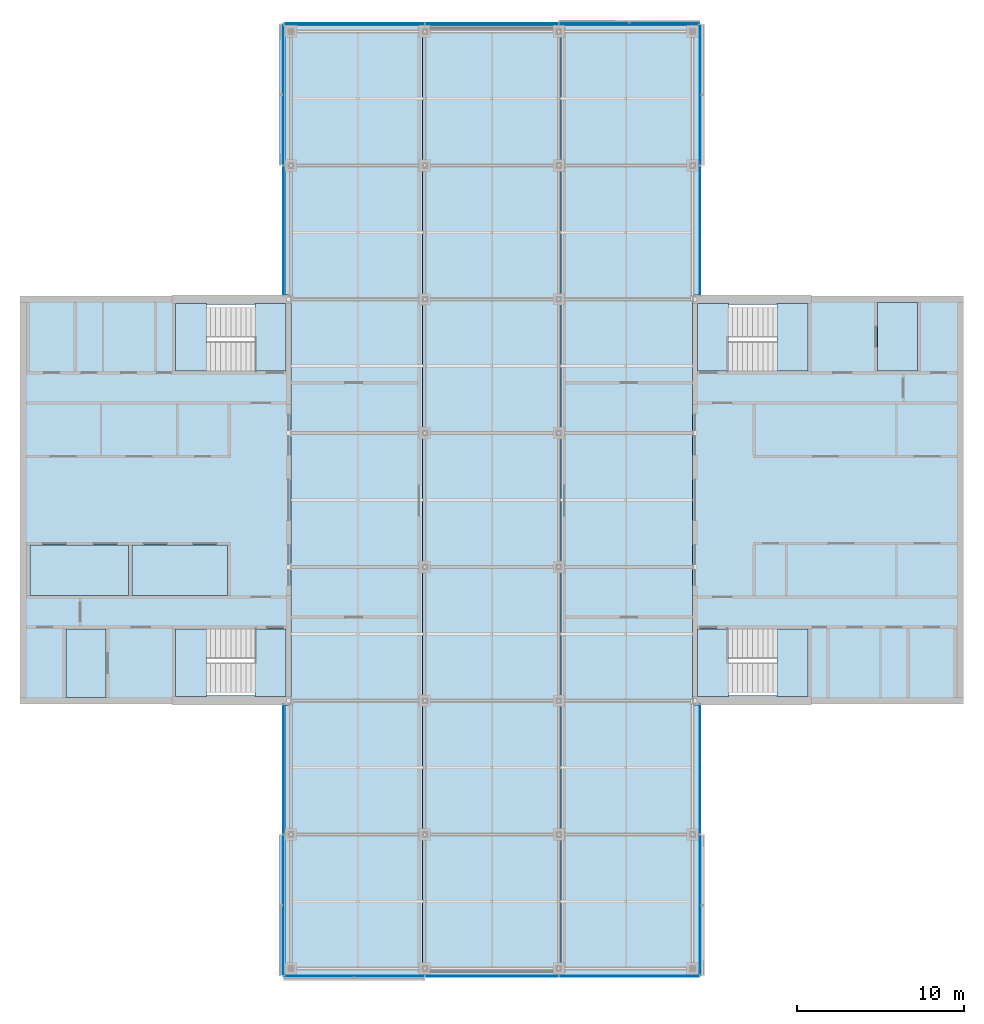
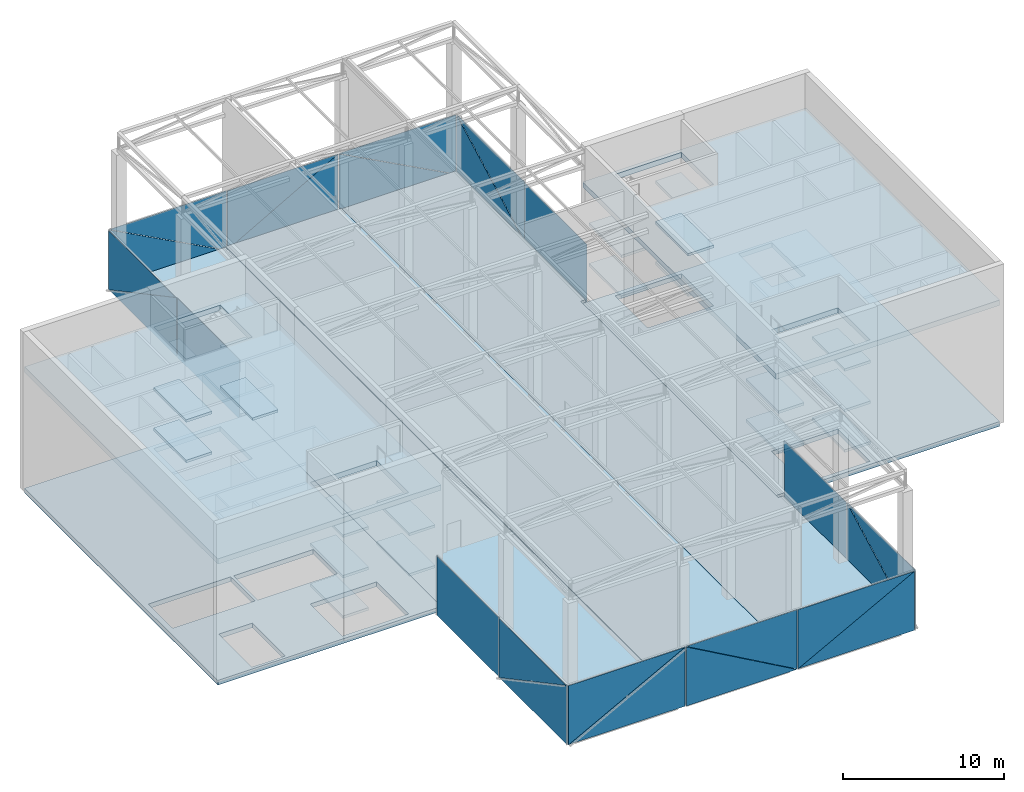
# One storey, part 10 of 23: 26 slabs, 24 plates, 14 elements without a shape of their own.
"""IFC4 building model written with IfcOpenShell, lengths in metres."""

from ifc_helpers import new_model, si_unit, direction, frame, origin, place, context, subcontext, project, spatial, polyline, outline, extrude, material, layer, layer_set, type_object, element, aggregate, save


model = new_model("IFC4")

# Units and contexts
model_context = context("Model", 3, precision=1e-05, world=origin(), true_north=direction((0.0, 1.0)))
body_context = subcontext(model_context, "Body", "Model", "MODEL_VIEW")
ifc_project = project(units=[si_unit("LENGTHUNIT", "METRE"), si_unit("AREAUNIT", "SQUARE_METRE"), si_unit("VOLUMEUNIT", "CUBIC_METRE"), si_unit("PLANEANGLEUNIT", "RADIAN"), si_unit("MASSUNIT", "GRAM", prefix="KILO")], contexts=[model_context])

# Site, building, storey
site_placement = place(None, origin())
site = spatial("IfcSite", under=ifc_project, at=site_placement, CompositionType="ELEMENT")
building_placement = place(site_placement, origin())
building = spatial("IfcBuilding", under=site, at=building_placement, Name="Crosswind Convention Tower", CompositionType="ELEMENT")
storey_placement = place(building_placement, frame((0.0, 0.0, 349.10009765625)))
storey = spatial("IfcBuildingStorey", under=building, at=storey_placement, Name="L76", CompositionType="ELEMENT", Elevation=349.10009765625)

# Slabs
ifc_material_1 = material(Name="Concrete C40/50", Category="concrete")
ifc_layer_1 = layer(ifc_material_1, 0.35009765625)
ifc_layer_set_1 = layer_set([ifc_layer_1], Name="Concrete C40/50")
slab_type_1 = type_object("IfcSlabType", Name="Composite floor slab 350", PredefinedType="FLOOR", material=ifc_layer_set_1)
slab_1_placement = place(storey_placement, frame((0.0, 0.0, -0.35009765625)))
element("IfcSlab", 1, at=slab_1_placement, inside=storey, type_object=slab_type_1, Name="Floor slab L76", PredefinedType="FLOOR", context=body_context, shape_type="SweptSolid", body=[
    extrude(outline(polyline([(137.35009765625, 71.64990234375), (137.0, 71.64990234375), (113.0, 71.64990234375), (112.64990234375, 71.64990234375), (112.64990234375, 72.0), (112.64990234375, 87.75), (113.0, 87.75), (113.0, 112.25), (112.64990234375, 112.25), (112.64990234375, 128.0), (112.64990234375, 128.35009765625), (113.0, 128.35009765625), (137.0, 128.35009765625), (137.35009765625, 128.35009765625), (137.35009765625, 128.0), (137.35009765625, 112.25), (137.0, 112.25), (137.0, 87.75), (137.35009765625, 87.75), (137.35009765625, 72.0), (137.35009765625, 71.64990234375)])), origin(), (0.0, 0.0, 1.0), 0.35009765625),
])
ifc_layer_2 = layer(ifc_material_1, 0.35009765625)
ifc_layer_set_2 = layer_set([ifc_layer_2], Name="Concrete C40/50")
slab_type_2 = type_object("IfcSlabType", Name="Concrete core floor slab 350", PredefinedType="FLOOR", material=ifc_layer_set_2)
slab_2_placement = place(storey_placement, frame((0.0, 0.0, -0.35009765625)))
element("IfcSlab", 2, at=slab_2_placement, inside=storey, type_object=slab_type_2, Name="Core floor slab E L76", PredefinedType="FLOOR", context=body_context, shape_type="SweptSolid", body=[
    extrude(outline(polyline([(137.0, 88.0), (153.0, 88.0), (153.0, 112.0), (137.0, 112.0), (137.0, 88.0)]), holes=[polyline([(150.449951171875, 107.699951171875), (150.449951171875, 111.800048828125), (148.050048828125, 111.800048828125), (148.050048828125, 107.699951171875), (150.449951171875, 107.699951171875)]), polyline([(143.89990234375, 107.699951171875), (143.89990234375, 111.699951171875), (139.14990234375, 111.699951171875), (139.14990234375, 107.699951171875), (143.89990234375, 107.699951171875)]), polyline([(143.89990234375, 88.300048828125), (143.89990234375, 92.300048828125), (139.14990234375, 92.300048828125), (139.14990234375, 88.300048828125), (143.89990234375, 88.300048828125)])]), origin(), (0.0, 0.0, 1.0), 0.35009765625),
])
slab_3_placement = place(storey_placement, frame((0.0, 0.0, -0.35009765625)))
element("IfcSlab", 3, at=slab_3_placement, inside=storey, type_object=slab_type_2, Name="Core floor slab W L76", PredefinedType="FLOOR", context=body_context, shape_type="SweptSolid", body=[
    extrude(outline(polyline([(97.0, 88.0), (113.0, 88.0), (113.0, 112.0), (97.0, 112.0), (97.0, 88.0)]), holes=[polyline([(109.199951171875, 94.300048828125), (109.199951171875, 97.300048828125), (103.5, 97.300048828125), (103.5, 94.300048828125), (109.199951171875, 94.300048828125)]), polyline([(103.300048828125, 94.300048828125), (103.300048828125, 97.300048828125), (97.39990234375, 97.300048828125), (97.39990234375, 94.300048828125), (103.300048828125, 94.300048828125)]), polyline([(101.949951171875, 88.199951171875), (101.949951171875, 92.300048828125), (99.550048828125, 92.300048828125), (99.550048828125, 88.199951171875), (101.949951171875, 88.199951171875)]), polyline([(110.85009765625, 88.300048828125), (110.85009765625, 92.300048828125), (106.10009765625, 92.300048828125), (106.10009765625, 88.300048828125), (110.85009765625, 88.300048828125)]), polyline([(110.85009765625, 107.699951171875), (110.85009765625, 111.699951171875), (106.10009765625, 111.699951171875), (106.10009765625, 107.699951171875), (110.85009765625, 107.699951171875)])]), origin(), (0.0, 0.0, 1.0), 0.35009765625),
])
ifc_layer_3 = layer(ifc_material_1, 0.39990234375)
ifc_layer_set_3 = layer_set([ifc_layer_3], Name="Concrete C40/50")
slab_type_3 = type_object("IfcSlabType", Name="Concrete core roof deck slab 400", PredefinedType="FLOOR", material=ifc_layer_set_3)
slab_4_placement = place(storey_placement, frame((0.0, 0.0, 8.7998046875)))
element("IfcSlab", 4, at=slab_4_placement, inside=storey, type_object=slab_type_3, Name="Core roof deck slab E", PredefinedType="FLOOR", context=body_context, shape_type="SweptSolid", body=[
    extrude(outline(polyline([(137.0, 88.0), (153.0, 88.0), (153.0, 112.0), (137.0, 112.0), (137.0, 88.0)]), holes=[polyline([(143.89990234375, 107.699951171875), (143.89990234375, 111.699951171875), (139.14990234375, 111.699951171875), (139.14990234375, 107.699951171875), (143.89990234375, 107.699951171875)]), polyline([(143.89990234375, 88.300048828125), (143.89990234375, 92.300048828125), (139.14990234375, 92.300048828125), (139.14990234375, 88.300048828125), (143.89990234375, 88.300048828125)])]), origin(), (0.0, 0.0, 1.0), 0.400146484375),
])
slab_5_placement = place(storey_placement, frame((0.0, 0.0, 8.7998046875)))
element("IfcSlab", 5, at=slab_5_placement, inside=storey, type_object=slab_type_3, Name="Core roof deck slab W", PredefinedType="FLOOR", context=body_context, shape_type="SweptSolid", body=[
    extrude(outline(polyline([(97.0, 88.0), (113.0, 88.0), (113.0, 112.0), (97.0, 112.0), (97.0, 88.0)]), holes=[polyline([(110.85009765625, 88.300048828125), (110.85009765625, 92.300048828125), (106.10009765625, 92.300048828125), (106.10009765625, 88.300048828125), (110.85009765625, 88.300048828125)]), polyline([(110.85009765625, 107.699951171875), (110.85009765625, 111.699951171875), (106.10009765625, 111.699951171875), (106.10009765625, 107.699951171875), (110.85009765625, 107.699951171875)])]), origin(), (0.0, 0.0, 1.0), 0.400146484375),
])
ifc_material_2 = material(Name="Porcelain paving on pedestals", Category="ceramic")
ifc_layer_4 = layer(ifc_material_2, 0.050048828125)
ifc_layer_set_4 = layer_set([ifc_layer_4], Name="SKY DECK PAVING 50")
slab_type_4 = type_object("IfcSlabType", Name="SKY DECK PAVING 50", PredefinedType="USERDEFINED", material=ifc_layer_set_4)
slab_6_placement = place(storey_placement, origin())
element("IfcSlab", 6, at=slab_6_placement, inside=storey, type_object=slab_type_4, Name="Observation deck 1", ObjectType="PAVING", PredefinedType="USERDEFINED", context=body_context, shape_type="SweptSolid", body=[
    extrude(outline(polyline([(120.85009765625, 71.64990234375), (120.85009765625, 128.35009765625), (129.14990234375, 128.35009765625), (129.14990234375, 71.64990234375), (120.85009765625, 71.64990234375)])), origin(), (0.0, 0.0, 1.0), 0.0498046875),
])

# Stair, slabs
stair_type = type_object("IfcStairType", Name="Exit stair 1800 wide, 6 flights of 11 risers", PredefinedType="HALF_TURN_STAIR", material=ifc_material_1)
stair_1_placement = place(storey_placement, origin())
stair_1 = element("IfcStair", 7, at=stair_1_placement, inside=storey, type_object=stair_type, Name="Exit stair ST1 L76", ObjectType="ST7", PredefinedType="HALF_TURN_STAIR")
ifc_layer_5 = layer(ifc_material_1, 0.199951171875)
ifc_layer_set_5 = layer_set([ifc_layer_5], Name="Concrete C40/50")
slab_type_5 = type_object("IfcSlabType", Name="Stair landing 200", PredefinedType="LANDING", material=ifc_layer_set_5)
slab_7_placement = place(storey_placement, frame((0.0, 0.0, 1.333251953125)))
slab_7 = element("IfcSlab", 8, at=slab_7_placement, type_object=slab_type_5, Name="ST1 landing 1", PredefinedType="LANDING", context=body_context, shape_type="SweptSolid", body=[
    extrude(outline(polyline([(143.89990234375, 107.699951171875), (143.89990234375, 111.75), (142.050048828125, 111.75), (142.050048828125, 107.699951171875), (143.89990234375, 107.699951171875)])), origin(), (0.0, 0.0, 1.0), 0.199951171875),
])
slab_8_placement = place(storey_placement, frame((0.0, 0.0, 2.866455078125)))
slab_8 = element("IfcSlab", 9, at=slab_8_placement, type_object=slab_type_5, Name="ST1 landing 2", PredefinedType="LANDING", context=body_context, shape_type="SweptSolid", body=[
    extrude(outline(polyline([(139.14990234375, 107.699951171875), (139.14990234375, 111.75), (137.300048828125, 111.75), (137.300048828125, 107.699951171875), (139.14990234375, 107.699951171875)])), origin(), (0.0, 0.0, 1.0), 0.2001953125),
])
slab_9_placement = place(storey_placement, frame((0.0, 0.0, 4.39990234375)))
slab_9 = element("IfcSlab", 10, at=slab_9_placement, type_object=slab_type_5, Name="ST1 landing 3", PredefinedType="LANDING", context=body_context, shape_type="SweptSolid", body=[
    extrude(outline(polyline([(143.89990234375, 107.699951171875), (143.89990234375, 111.75), (142.050048828125, 111.75), (142.050048828125, 107.699951171875), (143.89990234375, 107.699951171875)])), origin(), (0.0, 0.0, 1.0), 0.199951171875),
])
slab_10_placement = place(storey_placement, frame((0.0, 0.0, 5.933349609375)))
slab_10 = element("IfcSlab", 11, at=slab_10_placement, type_object=slab_type_5, Name="ST1 landing 4", PredefinedType="LANDING", context=body_context, shape_type="SweptSolid", body=[
    extrude(outline(polyline([(139.14990234375, 107.699951171875), (139.14990234375, 111.75), (137.300048828125, 111.75), (137.300048828125, 107.699951171875), (139.14990234375, 107.699951171875)])), origin(), (0.0, 0.0, 1.0), 0.199951171875),
])
slab_11_placement = place(storey_placement, frame((0.0, 0.0, 7.466552734375)))
slab_11 = element("IfcSlab", 12, at=slab_11_placement, type_object=slab_type_5, Name="ST1 landing 5", PredefinedType="LANDING", context=body_context, shape_type="SweptSolid", body=[
    extrude(outline(polyline([(143.89990234375, 107.699951171875), (143.89990234375, 111.75), (142.050048828125, 111.75), (142.050048828125, 107.699951171875), (143.89990234375, 107.699951171875)])), origin(), (0.0, 0.0, 1.0), 0.199951171875),
])
aggregate(stair_1, [slab_7, slab_8, slab_9, slab_10, slab_11])

stair_2_placement = place(storey_placement, origin())
stair_2 = element("IfcStair", 13, at=stair_2_placement, inside=storey, type_object=stair_type, Name="Exit stair ST2 L76", ObjectType="ST7", PredefinedType="HALF_TURN_STAIR")
slab_12_placement = place(storey_placement, frame((0.0, 0.0, 1.333251953125)))
slab_12 = element("IfcSlab", 14, at=slab_12_placement, type_object=slab_type_5, Name="ST2 landing 1", PredefinedType="LANDING", context=body_context, shape_type="SweptSolid", body=[
    extrude(outline(polyline([(143.89990234375, 88.25), (143.89990234375, 92.300048828125), (142.050048828125, 92.300048828125), (142.050048828125, 88.25), (143.89990234375, 88.25)])), origin(), (0.0, 0.0, 1.0), 0.199951171875),
])
slab_13_placement = place(storey_placement, frame((0.0, 0.0, 2.866455078125)))
slab_13 = element("IfcSlab", 15, at=slab_13_placement, type_object=slab_type_5, Name="ST2 landing 2", PredefinedType="LANDING", context=body_context, shape_type="SweptSolid", body=[
    extrude(outline(polyline([(139.14990234375, 88.25), (139.14990234375, 92.300048828125), (137.300048828125, 92.300048828125), (137.300048828125, 88.25), (139.14990234375, 88.25)])), origin(), (0.0, 0.0, 1.0), 0.2001953125),
])
slab_14_placement = place(storey_placement, frame((0.0, 0.0, 4.39990234375)))
slab_14 = element("IfcSlab", 16, at=slab_14_placement, type_object=slab_type_5, Name="ST2 landing 3", PredefinedType="LANDING", context=body_context, shape_type="SweptSolid", body=[
    extrude(outline(polyline([(143.89990234375, 88.25), (143.89990234375, 92.300048828125), (142.050048828125, 92.300048828125), (142.050048828125, 88.25), (143.89990234375, 88.25)])), origin(), (0.0, 0.0, 1.0), 0.199951171875),
])
slab_15_placement = place(storey_placement, frame((0.0, 0.0, 5.933349609375)))
slab_15 = element("IfcSlab", 17, at=slab_15_placement, type_object=slab_type_5, Name="ST2 landing 4", PredefinedType="LANDING", context=body_context, shape_type="SweptSolid", body=[
    extrude(outline(polyline([(139.14990234375, 88.25), (139.14990234375, 92.300048828125), (137.300048828125, 92.300048828125), (137.300048828125, 88.25), (139.14990234375, 88.25)])), origin(), (0.0, 0.0, 1.0), 0.199951171875),
])
slab_16_placement = place(storey_placement, frame((0.0, 0.0, 7.466552734375)))
slab_16 = element("IfcSlab", 18, at=slab_16_placement, type_object=slab_type_5, Name="ST2 landing 5", PredefinedType="LANDING", context=body_context, shape_type="SweptSolid", body=[
    extrude(outline(polyline([(143.89990234375, 88.25), (143.89990234375, 92.300048828125), (142.050048828125, 92.300048828125), (142.050048828125, 88.25), (143.89990234375, 88.25)])), origin(), (0.0, 0.0, 1.0), 0.199951171875),
])
aggregate(stair_2, [slab_12, slab_13, slab_14, slab_15, slab_16])

stair_3_placement = place(storey_placement, origin())
stair_3 = element("IfcStair", 19, at=stair_3_placement, inside=storey, type_object=stair_type, Name="Exit stair ST3 L76", ObjectType="ST7", PredefinedType="HALF_TURN_STAIR")
slab_17_placement = place(storey_placement, frame((0.0, 0.0, 1.333251953125)))
slab_17 = element("IfcSlab", 20, at=slab_17_placement, type_object=slab_type_5, Name="ST3 landing 1", PredefinedType="LANDING", context=body_context, shape_type="SweptSolid", body=[
    extrude(outline(polyline([(107.949951171875, 88.25), (107.949951171875, 92.300048828125), (106.10009765625, 92.300048828125), (106.10009765625, 88.25), (107.949951171875, 88.25)])), origin(), (0.0, 0.0, 1.0), 0.199951171875),
])
slab_18_placement = place(storey_placement, frame((0.0, 0.0, 2.866455078125)))
slab_18 = element("IfcSlab", 21, at=slab_18_placement, type_object=slab_type_5, Name="ST3 landing 2", PredefinedType="LANDING", context=body_context, shape_type="SweptSolid", body=[
    extrude(outline(polyline([(112.699951171875, 88.25), (112.699951171875, 92.300048828125), (110.85009765625, 92.300048828125), (110.85009765625, 88.25), (112.699951171875, 88.25)])), origin(), (0.0, 0.0, 1.0), 0.2001953125),
])
slab_19_placement = place(storey_placement, frame((0.0, 0.0, 4.39990234375)))
slab_19 = element("IfcSlab", 22, at=slab_19_placement, type_object=slab_type_5, Name="ST3 landing 3", PredefinedType="LANDING", context=body_context, shape_type="SweptSolid", body=[
    extrude(outline(polyline([(107.949951171875, 88.25), (107.949951171875, 92.300048828125), (106.10009765625, 92.300048828125), (106.10009765625, 88.25), (107.949951171875, 88.25)])), origin(), (0.0, 0.0, 1.0), 0.199951171875),
])
slab_20_placement = place(storey_placement, frame((0.0, 0.0, 5.933349609375)))
slab_20 = element("IfcSlab", 23, at=slab_20_placement, type_object=slab_type_5, Name="ST3 landing 4", PredefinedType="LANDING", context=body_context, shape_type="SweptSolid", body=[
    extrude(outline(polyline([(112.699951171875, 88.25), (112.699951171875, 92.300048828125), (110.85009765625, 92.300048828125), (110.85009765625, 88.25), (112.699951171875, 88.25)])), origin(), (0.0, 0.0, 1.0), 0.199951171875),
])
slab_21_placement = place(storey_placement, frame((0.0, 0.0, 7.466552734375)))
slab_21 = element("IfcSlab", 24, at=slab_21_placement, type_object=slab_type_5, Name="ST3 landing 5", PredefinedType="LANDING", context=body_context, shape_type="SweptSolid", body=[
    extrude(outline(polyline([(107.949951171875, 88.25), (107.949951171875, 92.300048828125), (106.10009765625, 92.300048828125), (106.10009765625, 88.25), (107.949951171875, 88.25)])), origin(), (0.0, 0.0, 1.0), 0.199951171875),
])
aggregate(stair_3, [slab_17, slab_18, slab_19, slab_20, slab_21])

stair_4_placement = place(storey_placement, origin())
stair_4 = element("IfcStair", 25, at=stair_4_placement, inside=storey, type_object=stair_type, Name="Exit stair ST4 L76", ObjectType="ST7", PredefinedType="HALF_TURN_STAIR")
slab_22_placement = place(storey_placement, frame((0.0, 0.0, 1.333251953125)))
slab_22 = element("IfcSlab", 26, at=slab_22_placement, type_object=slab_type_5, Name="ST4 landing 1", PredefinedType="LANDING", context=body_context, shape_type="SweptSolid", body=[
    extrude(outline(polyline([(107.949951171875, 107.699951171875), (107.949951171875, 111.75), (106.10009765625, 111.75), (106.10009765625, 107.699951171875), (107.949951171875, 107.699951171875)])), origin(), (0.0, 0.0, 1.0), 0.199951171875),
])
slab_23_placement = place(storey_placement, frame((0.0, 0.0, 2.866455078125)))
slab_23 = element("IfcSlab", 27, at=slab_23_placement, type_object=slab_type_5, Name="ST4 landing 2", PredefinedType="LANDING", context=body_context, shape_type="SweptSolid", body=[
    extrude(outline(polyline([(112.699951171875, 107.699951171875), (112.699951171875, 111.75), (110.85009765625, 111.75), (110.85009765625, 107.699951171875), (112.699951171875, 107.699951171875)])), origin(), (0.0, 0.0, 1.0), 0.2001953125),
])
slab_24_placement = place(storey_placement, frame((0.0, 0.0, 4.39990234375)))
slab_24 = element("IfcSlab", 28, at=slab_24_placement, type_object=slab_type_5, Name="ST4 landing 3", PredefinedType="LANDING", context=body_context, shape_type="SweptSolid", body=[
    extrude(outline(polyline([(107.949951171875, 107.699951171875), (107.949951171875, 111.75), (106.10009765625, 111.75), (106.10009765625, 107.699951171875), (107.949951171875, 107.699951171875)])), origin(), (0.0, 0.0, 1.0), 0.199951171875),
])
slab_25_placement = place(storey_placement, frame((0.0, 0.0, 5.933349609375)))
slab_25 = element("IfcSlab", 29, at=slab_25_placement, type_object=slab_type_5, Name="ST4 landing 4", PredefinedType="LANDING", context=body_context, shape_type="SweptSolid", body=[
    extrude(outline(polyline([(112.699951171875, 107.699951171875), (112.699951171875, 111.75), (110.85009765625, 111.75), (110.85009765625, 107.699951171875), (112.699951171875, 107.699951171875)])), origin(), (0.0, 0.0, 1.0), 0.199951171875),
])
slab_26_placement = place(storey_placement, frame((0.0, 0.0, 7.466552734375)))
slab_26 = element("IfcSlab", 30, at=slab_26_placement, type_object=slab_type_5, Name="ST4 landing 5", PredefinedType="LANDING", context=body_context, shape_type="SweptSolid", body=[
    extrude(outline(polyline([(107.949951171875, 107.699951171875), (107.949951171875, 111.75), (106.10009765625, 111.75), (106.10009765625, 107.699951171875), (107.949951171875, 107.699951171875)])), origin(), (0.0, 0.0, 1.0), 0.199951171875),
])
aggregate(stair_4, [slab_22, slab_23, slab_24, slab_25, slab_26])

# Curtain wall, plate
ifc_material_3 = material(Name="Aluminium unitised curtain wall", Category="aluminium")
curtain_wall_type_1 = type_object("IfcCurtainWallType", Name="CORE END SLOT WALL 160", PredefinedType="USERDEFINED", material=ifc_material_3)
curtain_wall_1_placement = place(storey_placement, origin())
curtain_wall_1 = element("IfcCurtainWall", 31, at=curtain_wall_1_placement, inside=storey, type_object=curtain_wall_type_1, Name="CW6 L76 N-E.1-1 slot", ObjectType="UNITISED", PredefinedType="USERDEFINED")
ifc_material_4 = material(Name="Laminated insulating glass unit", Category="glass")
ifc_layer_6 = layer(ifc_material_4, 0.02587890625)
ifc_layer_set_6 = layer_set([ifc_layer_6], Name="TRIANGULAR GLASS PANEL 26")
plate_type_1 = type_object("IfcPlateType", Name="TRIANGULAR GLASS PANEL 26", PredefinedType="CURTAIN_PANEL", material=ifc_layer_set_6)
plate_1_placement = place(storey_placement, frame((137.456787109375, 112.25, -0.35009765625), z_axis=(0.999999927886, 0.0, 0.000379774278), x_axis=(0.0, 1.0, 0.0)))
plate_1 = element("IfcPlate", 32, at=plate_1_placement, type_object=plate_type_1, Name="CW6 panel 1.1", PredefinedType="CURTAIN_PANEL", context=body_context, shape_type="SweptSolid", body=[
    extrude(outline(polyline([(0.0, 0.0), (7.699951171875, 0.0), (7.699951171875, 4.500000324514166), (0.0, 4.500000324514166), (0.0, 0.0)])), origin(), (0.0, 0.0, -1.0), 0.02587890625),
])
aggregate(curtain_wall_1, [plate_1])

curtain_wall_2_placement = place(storey_placement, origin())
curtain_wall_2 = element("IfcCurtainWall", 33, at=curtain_wall_2_placement, inside=storey, type_object=curtain_wall_type_1, Name="CW6 L76 N-W.1-2 slot", ObjectType="UNITISED", PredefinedType="USERDEFINED")
plate_2_placement = place(storey_placement, frame((112.543212890625, 119.949951171875, -0.35009765625), z_axis=(-0.999999927886, 0.0, 0.000379774278), x_axis=(0.0, -1.0, 0.0)))
plate_2 = element("IfcPlate", 34, at=plate_2_placement, type_object=plate_type_1, Name="CW6 panel 1.1", PredefinedType="CURTAIN_PANEL", context=body_context, shape_type="SweptSolid", body=[
    extrude(outline(polyline([(0.0, 0.0), (7.699951171875, 0.0), (7.699951171875, 4.500000324514166), (0.0, 4.500000324514166), (0.0, 0.0)])), origin(), (0.0, 0.0, -1.0), 0.02587890625),
])
aggregate(curtain_wall_2, [plate_2])

curtain_wall_3_placement = place(storey_placement, origin())
curtain_wall_3 = element("IfcCurtainWall", 35, at=curtain_wall_3_placement, inside=storey, type_object=curtain_wall_type_1, Name="CW6 L76 S-W.1-1 slot", ObjectType="UNITISED", PredefinedType="USERDEFINED")
plate_3_placement = place(storey_placement, frame((112.543212890625, 87.75, -0.35009765625), z_axis=(-0.999999927886, 0.0, 0.000379774278), x_axis=(0.0, -1.0, 0.0)))
plate_3 = element("IfcPlate", 36, at=plate_3_placement, type_object=plate_type_1, Name="CW6 panel 1.1", PredefinedType="CURTAIN_PANEL", context=body_context, shape_type="SweptSolid", body=[
    extrude(outline(polyline([(0.0, 0.0), (7.699951171875, 0.0), (7.699951171875, 4.500000324514166), (0.0, 4.500000324514166), (0.0, 0.0)])), origin(), (0.0, 0.0, -1.0), 0.02587890625),
])
aggregate(curtain_wall_3, [plate_3])

curtain_wall_4_placement = place(storey_placement, origin())
curtain_wall_4 = element("IfcCurtainWall", 37, at=curtain_wall_4_placement, inside=storey, type_object=curtain_wall_type_1, Name="CW6 L76 S-E.1-2 slot", ObjectType="UNITISED", PredefinedType="USERDEFINED")
plate_4_placement = place(storey_placement, frame((137.456787109375, 80.050048828125, -0.35009765625), z_axis=(0.999999927886, 0.0, 0.000379774278), x_axis=(0.0, 1.0, 0.0)))
plate_4 = element("IfcPlate", 38, at=plate_4_placement, type_object=plate_type_1, Name="CW6 panel 1.1", PredefinedType="CURTAIN_PANEL", context=body_context, shape_type="SweptSolid", body=[
    extrude(outline(polyline([(0.0, 0.0), (7.699951171875, 0.0), (7.699951171875, 4.500000324514166), (0.0, 4.500000324514166), (0.0, 0.0)])), origin(), (0.0, 0.0, -1.0), 0.02587890625),
])
aggregate(curtain_wall_4, [plate_4])

# Curtain wall, plates
curtain_wall_type_2 = type_object("IfcCurtainWallType", Name="CROWN WINDBREAK WALL 180", PredefinedType="USERDEFINED", material=ifc_material_3)
curtain_wall_5_placement = place(storey_placement, origin())
curtain_wall_5 = element("IfcCurtainWall", 39, at=curtain_wall_5_placement, inside=storey, type_object=curtain_wall_type_2, Name="CW5 L76 N-E 1", ObjectType="UNITISED", PredefinedType="USERDEFINED")
ifc_layer_7 = layer(ifc_material_4, 0.030029296875)
ifc_layer_set_7 = layer_set([ifc_layer_7], Name="TRIANGULAR GLASS PANEL 30")
plate_type_2 = type_object("IfcPlateType", Name="TRIANGULAR GLASS PANEL 30", PredefinedType="CURTAIN_PANEL", material=ifc_layer_set_7)
plate_5_placement = place(storey_placement, frame((137.470947265625, 128.409912109375, -0.35009765625), z_axis=(0.999999904914, 0.0, 0.000436086086), x_axis=(-0.000436086086, 0.0, 0.999999904914)))
plate_5 = element("IfcPlate", 40, at=plate_5_placement, type_object=plate_type_2, Name="CW5 panel 1.1", PredefinedType="CURTAIN_PANEL", context=body_context, shape_type="SweptSolid", body=[
    extrude(outline(polyline([(0.0, 0.0), (4.4787601914903385, 0.0), (0.0, 8.358642578125), (0.0, 0.0)])), origin(), (0.0, 0.0, -1.0), 0.030029296875),
])
plate_6_placement = place(storey_placement, frame((137.501220703125, 120.030029296875, 4.139892578125), z_axis=(0.9999999272, 0.0, 0.000381575333), x_axis=(0.000381575333, 0.0, -0.9999999272)))
plate_6 = element("IfcPlate", 41, at=plate_6_placement, type_object=plate_type_2, Name="CW5 panel 1.2", PredefinedType="CURTAIN_PANEL", context=body_context, shape_type="SweptSolid", body=[
    extrude(outline(polyline([(0.0, 0.0), (4.478760091678153, 0.0), (0.0, 8.35888671875), (0.0, 0.0)])), origin(), (0.0, 0.0, -1.0), 0.030029296875),
])
aggregate(curtain_wall_5, [plate_5, plate_6])

curtain_wall_6_placement = place(storey_placement, origin())
curtain_wall_6 = element("IfcCurtainWall", 42, at=curtain_wall_6_placement, inside=storey, type_object=curtain_wall_type_2, Name="CW5 L76 N-TIP 1", ObjectType="UNITISED", PredefinedType="USERDEFINED")
plate_7_placement = place(storey_placement, frame((129.030029296875, 128.470947265625, -0.35009765625), z_axis=(0.0, 0.999999904914, 0.000436086086), x_axis=(0.0, -0.000436086086, 0.999999904914)))
plate_7 = element("IfcPlate", 43, at=plate_7_placement, type_object=plate_type_2, Name="CW5 panel 1.1", PredefinedType="CURTAIN_PANEL", context=body_context, shape_type="SweptSolid", body=[
    extrude(outline(polyline([(0.0, 0.0), (4.4787601914903385, 0.0), (0.0, 8.358886718750002), (0.0, 0.0)])), origin(), (0.0, 0.0, -1.0), 0.030029296875),
])
plate_8_placement = place(storey_placement, frame((137.409912109375, 128.501220703125, 4.139892578125), z_axis=(0.0, 0.9999999272, 0.000381575333), x_axis=(0.0, 0.000381575333, -0.9999999272)))
plate_8 = element("IfcPlate", 44, at=plate_8_placement, type_object=plate_type_2, Name="CW5 panel 1.2", PredefinedType="CURTAIN_PANEL", context=body_context, shape_type="SweptSolid", body=[
    extrude(outline(polyline([(0.0, 0.0), (4.478760091678153, 0.0), (0.0, 8.358642578125), (0.0, 0.0)])), origin(), (0.0, 0.0, -1.0), 0.030029296875),
])
plate_9_placement = place(storey_placement, frame((121.030029296875, 128.468994140625, 4.139892578125), z_axis=(0.0, 0.999999904904, 0.000436109858), x_axis=(1.0, 0.0, 0.0)))
plate_9 = element("IfcPlate", 45, at=plate_9_placement, type_object=plate_type_2, Name="CW5 panel 2.1", PredefinedType="CURTAIN_PANEL", context=body_context, shape_type="SweptSolid", body=[
    extrude(outline(polyline([(0.0, 0.0), (7.919677734375, 0.0), (0.0, 4.478516050888554), (0.0, 0.0)])), origin(), (0.0, 0.0, -1.0), 0.030029296875),
])
plate_10_placement = place(storey_placement, frame((128.969970703125, 128.5029296875, -0.35009765625), z_axis=(0.0, 0.999999927192, 0.000381596134), x_axis=(-1.0, 0.0, 0.0)))
plate_10 = element("IfcPlate", 46, at=plate_10_placement, type_object=plate_type_2, Name="CW5 panel 2.2", PredefinedType="CURTAIN_PANEL", context=body_context, shape_type="SweptSolid", body=[
    extrude(outline(polyline([(0.0, 0.0), (7.919677734375, 0.0), (0.0, 4.478515951070928), (0.0, 0.0)])), origin(), (0.0, 0.0, -1.0), 0.030029296875),
])
plate_11_placement = place(storey_placement, frame((112.590087890625, 128.470947265625, -0.35009765625), z_axis=(0.0, 0.999999904914, 0.000436086086), x_axis=(0.0, -0.000436086086, 0.999999904914)))
plate_11 = element("IfcPlate", 47, at=plate_11_placement, type_object=plate_type_2, Name="CW5 panel 3.1", PredefinedType="CURTAIN_PANEL", context=body_context, shape_type="SweptSolid", body=[
    extrude(outline(polyline([(0.0, 0.0), (4.4787601914903385, 0.0), (0.0, 8.358642578125), (0.0, 0.0)])), origin(), (0.0, 0.0, -1.0), 0.030029296875),
])
plate_12_placement = place(storey_placement, frame((120.969970703125, 128.501220703125, 4.139892578125), z_axis=(0.0, 0.9999999272, 0.000381575333), x_axis=(0.0, 0.000381575333, -0.9999999272)))
plate_12 = element("IfcPlate", 48, at=plate_12_placement, type_object=plate_type_2, Name="CW5 panel 3.2", PredefinedType="CURTAIN_PANEL", context=body_context, shape_type="SweptSolid", body=[
    extrude(outline(polyline([(0.0, 0.0), (4.478760091678153, 0.0), (0.0, 8.35888671875), (0.0, 0.0)])), origin(), (0.0, 0.0, -1.0), 0.030029296875),
])
aggregate(curtain_wall_6, [plate_7, plate_8, plate_9, plate_10, plate_11, plate_12])

curtain_wall_7_placement = place(storey_placement, origin())
curtain_wall_7 = element("IfcCurtainWall", 49, at=curtain_wall_7_placement, inside=storey, type_object=curtain_wall_type_2, Name="CW5 L76 N-W 1", ObjectType="UNITISED", PredefinedType="USERDEFINED")
plate_13_placement = place(storey_placement, frame((112.529052734375, 120.030029296875, -0.35009765625), z_axis=(-0.999999904914, 0.0, 0.000436086086), x_axis=(0.000436086086, 0.0, 0.999999904914)))
plate_13 = element("IfcPlate", 50, at=plate_13_placement, type_object=plate_type_2, Name="CW5 panel 1.1", PredefinedType="CURTAIN_PANEL", context=body_context, shape_type="SweptSolid", body=[
    extrude(outline(polyline([(0.0, 0.0), (4.4787601914903385, 0.0), (0.0, 8.358886718750002), (0.0, 0.0)])), origin(), (0.0, 0.0, -1.0), 0.030029296875),
])
plate_14_placement = place(storey_placement, frame((112.498779296875, 128.409912109375, 4.139892578125), z_axis=(-0.9999999272, 0.0, 0.000381575333), x_axis=(-0.000381575333, 0.0, -0.9999999272)))
plate_14 = element("IfcPlate", 51, at=plate_14_placement, type_object=plate_type_2, Name="CW5 panel 1.2", PredefinedType="CURTAIN_PANEL", context=body_context, shape_type="SweptSolid", body=[
    extrude(outline(polyline([(0.0, 0.0), (4.478760091678153, 0.0), (0.0, 8.358642578125), (0.0, 0.0)])), origin(), (0.0, 0.0, -1.0), 0.030029296875),
])
aggregate(curtain_wall_7, [plate_13, plate_14])

curtain_wall_8_placement = place(storey_placement, origin())
curtain_wall_8 = element("IfcCurtainWall", 52, at=curtain_wall_8_placement, inside=storey, type_object=curtain_wall_type_2, Name="CW5 L76 S-W 1", ObjectType="UNITISED", PredefinedType="USERDEFINED")
plate_15_placement = place(storey_placement, frame((112.529052734375, 71.590087890625, -0.35009765625), z_axis=(-0.999999904914, 0.0, 0.000436086086), x_axis=(0.000436086086, 0.0, 0.999999904914)))
plate_15 = element("IfcPlate", 53, at=plate_15_placement, type_object=plate_type_2, Name="CW5 panel 1.1", PredefinedType="CURTAIN_PANEL", context=body_context, shape_type="SweptSolid", body=[
    extrude(outline(polyline([(0.0, 0.0), (4.4787601914903385, 0.0), (0.0, 8.358642578125), (0.0, 0.0)])), origin(), (0.0, 0.0, -1.0), 0.030029296875),
])
plate_16_placement = place(storey_placement, frame((112.498779296875, 79.969970703125, 4.139892578125), z_axis=(-0.9999999272, 0.0, 0.000381575333), x_axis=(-0.000381575333, 0.0, -0.9999999272)))
plate_16 = element("IfcPlate", 54, at=plate_16_placement, type_object=plate_type_2, Name="CW5 panel 1.2", PredefinedType="CURTAIN_PANEL", context=body_context, shape_type="SweptSolid", body=[
    extrude(outline(polyline([(0.0, 0.0), (4.478760091678153, 0.0), (0.0, 8.35888671875), (0.0, 0.0)])), origin(), (0.0, 0.0, -1.0), 0.030029296875),
])
aggregate(curtain_wall_8, [plate_15, plate_16])

curtain_wall_9_placement = place(storey_placement, origin())
curtain_wall_9 = element("IfcCurtainWall", 55, at=curtain_wall_9_placement, inside=storey, type_object=curtain_wall_type_2, Name="CW5 L76 S-TIP 1", ObjectType="UNITISED", PredefinedType="USERDEFINED")
plate_17_placement = place(storey_placement, frame((120.969970703125, 71.529052734375, -0.35009765625), z_axis=(0.0, -0.999999904914, 0.000436086086), x_axis=(0.0, 0.000436086086, 0.999999904914)))
plate_17 = element("IfcPlate", 56, at=plate_17_placement, type_object=plate_type_2, Name="CW5 panel 1.1", PredefinedType="CURTAIN_PANEL", context=body_context, shape_type="SweptSolid", body=[
    extrude(outline(polyline([(0.0, 0.0), (4.4787601914903385, 0.0), (0.0, 8.358886718750002), (0.0, 0.0)])), origin(), (0.0, 0.0, -1.0), 0.030029296875),
])
plate_18_placement = place(storey_placement, frame((112.590087890625, 71.498779296875, 4.139892578125), z_axis=(0.0, -0.9999999272, 0.000381575333), x_axis=(0.0, -0.000381575333, -0.9999999272)))
plate_18 = element("IfcPlate", 57, at=plate_18_placement, type_object=plate_type_2, Name="CW5 panel 1.2", PredefinedType="CURTAIN_PANEL", context=body_context, shape_type="SweptSolid", body=[
    extrude(outline(polyline([(0.0, 0.0), (4.478760091678153, 0.0), (0.0, 8.358642578125), (0.0, 0.0)])), origin(), (0.0, 0.0, -1.0), 0.030029296875),
])
plate_19_placement = place(storey_placement, frame((128.969970703125, 71.531005859375, 4.139892578125), z_axis=(0.0, -0.999999904904, 0.000436109858), x_axis=(-1.0, 0.0, 0.0)))
plate_19 = element("IfcPlate", 58, at=plate_19_placement, type_object=plate_type_2, Name="CW5 panel 2.1", PredefinedType="CURTAIN_PANEL", context=body_context, shape_type="SweptSolid", body=[
    extrude(outline(polyline([(0.0, 0.0), (7.919677734375, 0.0), (0.0, 4.478516050888554), (0.0, 0.0)])), origin(), (0.0, 0.0, -1.0), 0.030029296875),
])
plate_20_placement = place(storey_placement, frame((121.030029296875, 71.4970703125, -0.35009765625), z_axis=(0.0, -0.999999927192, 0.000381596134), x_axis=(1.0, 0.0, 0.0)))
plate_20 = element("IfcPlate", 59, at=plate_20_placement, type_object=plate_type_2, Name="CW5 panel 2.2", PredefinedType="CURTAIN_PANEL", context=body_context, shape_type="SweptSolid", body=[
    extrude(outline(polyline([(0.0, 0.0), (7.919677734375, 0.0), (0.0, 4.478515951070928), (0.0, 0.0)])), origin(), (0.0, 0.0, -1.0), 0.030029296875),
])
plate_21_placement = place(storey_placement, frame((137.409912109375, 71.529052734375, -0.35009765625), z_axis=(0.0, -0.999999904914, 0.000436086086), x_axis=(0.0, 0.000436086086, 0.999999904914)))
plate_21 = element("IfcPlate", 60, at=plate_21_placement, type_object=plate_type_2, Name="CW5 panel 3.1", PredefinedType="CURTAIN_PANEL", context=body_context, shape_type="SweptSolid", body=[
    extrude(outline(polyline([(0.0, 0.0), (4.4787601914903385, 0.0), (0.0, 8.358642578125), (0.0, 0.0)])), origin(), (0.0, 0.0, -1.0), 0.030029296875),
])
plate_22_placement = place(storey_placement, frame((129.030029296875, 71.498779296875, 4.139892578125), z_axis=(0.0, -0.9999999272, 0.000381575333), x_axis=(0.0, -0.000381575333, -0.9999999272)))
plate_22 = element("IfcPlate", 61, at=plate_22_placement, type_object=plate_type_2, Name="CW5 panel 3.2", PredefinedType="CURTAIN_PANEL", context=body_context, shape_type="SweptSolid", body=[
    extrude(outline(polyline([(0.0, 0.0), (4.478760091678153, 0.0), (0.0, 8.35888671875), (0.0, 0.0)])), origin(), (0.0, 0.0, -1.0), 0.030029296875),
])
aggregate(curtain_wall_9, [plate_17, plate_18, plate_19, plate_20, plate_21, plate_22])

curtain_wall_10_placement = place(storey_placement, origin())
curtain_wall_10 = element("IfcCurtainWall", 62, at=curtain_wall_10_placement, inside=storey, type_object=curtain_wall_type_2, Name="CW5 L76 S-E 1", ObjectType="UNITISED", PredefinedType="USERDEFINED")
plate_23_placement = place(storey_placement, frame((137.470947265625, 79.969970703125, -0.35009765625), z_axis=(0.999999904914, 0.0, 0.000436086086), x_axis=(-0.000436086086, 0.0, 0.999999904914)))
plate_23 = element("IfcPlate", 63, at=plate_23_placement, type_object=plate_type_2, Name="CW5 panel 1.1", PredefinedType="CURTAIN_PANEL", context=body_context, shape_type="SweptSolid", body=[
    extrude(outline(polyline([(0.0, 0.0), (4.4787601914903385, 0.0), (0.0, 8.358886718750002), (0.0, 0.0)])), origin(), (0.0, 0.0, -1.0), 0.030029296875),
])
plate_24_placement = place(storey_placement, frame((137.501220703125, 71.590087890625, 4.139892578125), z_axis=(0.9999999272, 0.0, 0.000381575333), x_axis=(0.000381575333, 0.0, -0.9999999272)))
plate_24 = element("IfcPlate", 64, at=plate_24_placement, type_object=plate_type_2, Name="CW5 panel 1.2", PredefinedType="CURTAIN_PANEL", context=body_context, shape_type="SweptSolid", body=[
    extrude(outline(polyline([(0.0, 0.0), (4.478760091678153, 0.0), (0.0, 8.358642578125), (0.0, 0.0)])), origin(), (0.0, 0.0, -1.0), 0.030029296875),
])
aggregate(curtain_wall_10, [plate_23, plate_24])

save(model, "model.ifc")
